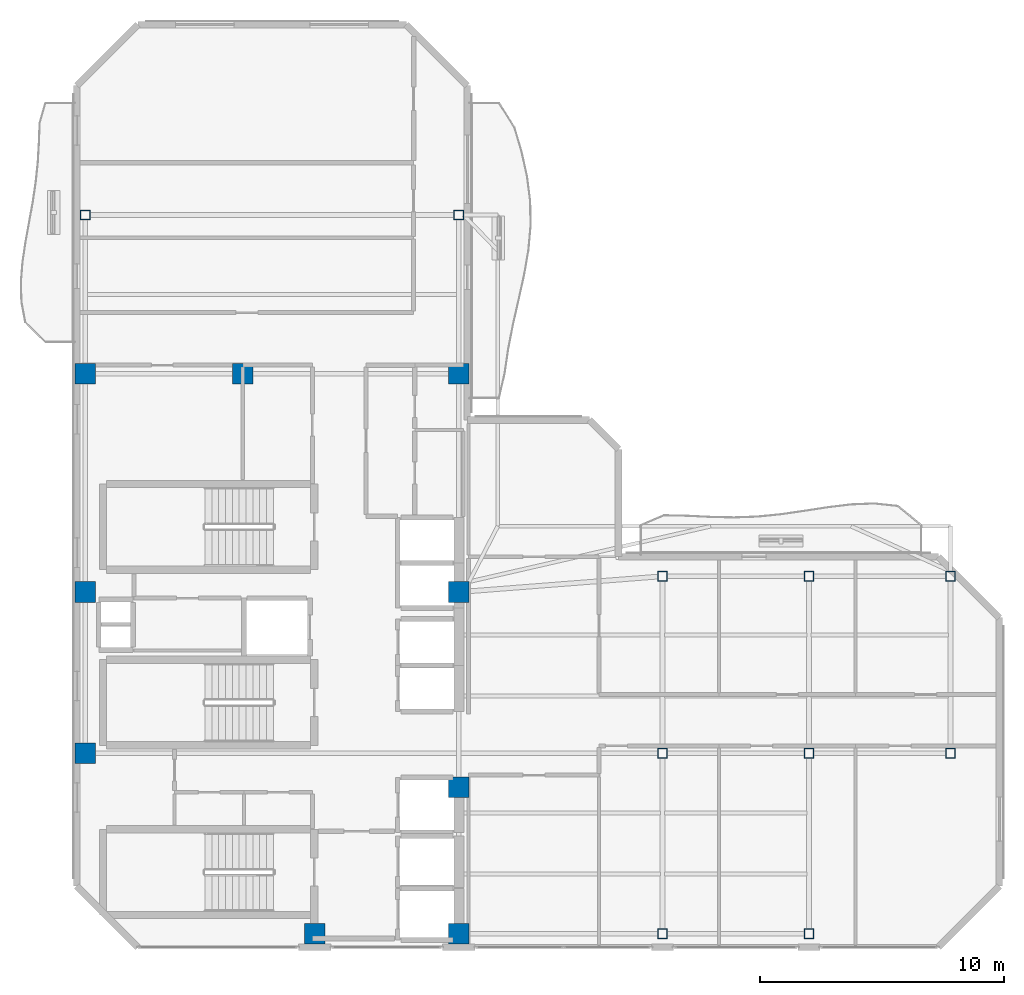
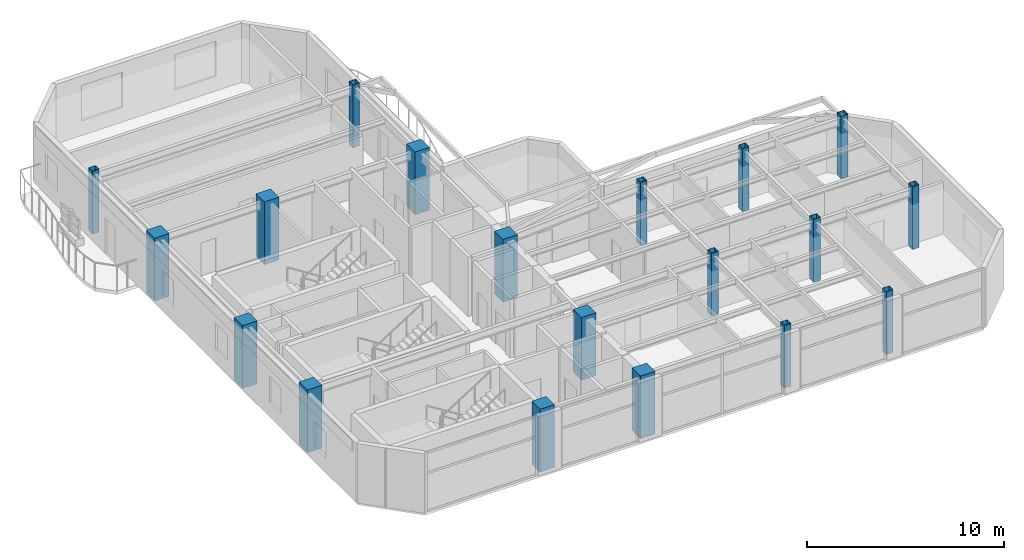
# One storey, part 1 of 15: 19 columns.
"""IFC4 building model written with IfcOpenShell, lengths in metres."""

from ifc_helpers import new_model, si_unit, direction, frame, origin, origin_2d, place, context, subcontext, project, spatial, rectangle, hollow_rectangle, extrude, material, material_profile, profile_set, type_object, element, save


model = new_model("IFC4")

# Units and contexts
model_context = context("Model", 3, precision=1e-05, world=origin(), true_north=direction((0.0, 1.0)))
body_context = subcontext(model_context, "Body", "Model", "MODEL_VIEW")
ifc_project = project(units=[si_unit("LENGTHUNIT", "METRE"), si_unit("AREAUNIT", "SQUARE_METRE"), si_unit("VOLUMEUNIT", "CUBIC_METRE"), si_unit("PLANEANGLEUNIT", "RADIAN"), si_unit("MASSUNIT", "GRAM", prefix="KILO")], contexts=[model_context])

# Site, building, storey
site_placement = place(None, origin())
site = spatial("IfcSite", under=ifc_project, at=site_placement, CompositionType="ELEMENT")
building_placement = place(site_placement, origin())
building = spatial("IfcBuilding", under=site, at=building_placement, Name="Mawjaban Terraces University", CompositionType="ELEMENT")
storey_placement = place(building_placement, frame((0.0, 0.0, 295.0)))
storey = spatial("IfcBuildingStorey", under=building, at=storey_placement, Name="L72", CompositionType="ELEMENT", Elevation=295.0)

# Columns
ifc_material_1 = material(Name="Concrete C50/60", Category="concrete")
ifc_material_profile_1 = material_profile(ifc_material_1, rectangle(XDim=0.85009765625, YDim=0.85009765625, at=origin_2d()), Name="RC850X850")
ifc_profile_set_1 = profile_set([ifc_material_profile_1], Name="Concrete C50/60")
column_type_1 = type_object("IfcColumnType", Name="Col_RC850X850", PredefinedType="COLUMN", material=ifc_profile_set_1)
for number, where, z_axis, x_axis, name in (
    (1, (31.75, 0.550048828125, 0.0), (0.0, 0.0, 1.0), (1.0, 0.0, 0.0), "L72 Column CC2"),
    (2, (37.64990234375, 0.550048828125, 0.0), (0.0, 0.0, 1.0), (1.0, 0.0, 0.0), "L72 Column CC3"),
    (3, (22.35009765625, 7.949951171875, 0.0), (0.0, 0.0, 1.0), (1.0, 0.0, 0.0), "L72 Column CC4"),
    (4, (37.64990234375, 6.550048828125, 0.0), (0.0, 0.0, 1.0), (1.0, 0.0, 0.0), "L72 Column CC5"),
    (5, (22.35009765625, 14.550048828125, 0.0), (0.0, 0.0, 1.0), (1.0, 0.0, 0.0), "L72 Column CC6"),
    (6, (37.64990234375, 14.550048828125, 0.0), (0.0, 0.0, 1.0), (1.0, 0.0, 0.0), "L72 Column CC7"),
    (7, (22.35009765625, 23.5, 0.0), (0.0, 0.0, 1.0), (1.0, 0.0, 0.0), "L72 Column CC8"),
    (8, (28.800048828125, 23.5, 0.0), (0.0, 0.0, 1.0), (1.0, 0.0, 0.0), "L72 Column CC9"),
    (9, (37.64990234375, 23.5, 0.0), (0.0, 0.0, 1.0), (1.0, 0.0, 0.0), "L72 Column CC10"),
):
    element("IfcColumn", number, at=place(storey_placement, frame(where, z_axis=z_axis, x_axis=x_axis)), inside=storey, type_object=column_type_1, Name=name, PredefinedType="COLUMN", context=body_context, shape_type="SweptSolid", body=[
        extrude(rectangle(XDim=0.85009765625, YDim=0.85009765625, at=origin_2d()), origin(), (0.0, 0.0, 1.0), 3.89990234375),
    ])
ifc_material_2 = material(Name="Steel EN 10210-1 S355J2H", Category="steel")
ifc_material_profile_2 = material_profile(ifc_material_2, hollow_rectangle(XDim=0.39990234375, YDim=0.39990234375, WallThickness=0.02001953125, at=origin_2d()), Name="SHS400X400X20")
ifc_profile_set_2 = profile_set([ifc_material_profile_2], Name="Steel EN 10210-1 S355J2H")
column_type_2 = type_object("IfcColumnType", Name="Col_SHS400X400X20", PredefinedType="COLUMN", material=ifc_profile_set_2)
for number, where, z_axis, x_axis, name in (
    (10, (46.0, 0.550048828125, 0.0), (0.0, 0.0, 1.0), (1.0, 0.0, 0.0), "L72 Column TE-460-005"),
    (11, (46.0, 7.949951171875, 0.0), (0.0, 0.0, 1.0), (1.0, 0.0, 0.0), "L72 Column TE-460-080"),
    (12, (46.0, 15.199951171875, 0.0), (0.0, 0.0, 1.0), (1.0, 0.0, 0.0), "L72 Column TE-460-152"),
    (13, (52.0, 0.550048828125, 0.0), (0.0, 0.0, 1.0), (1.0, 0.0, 0.0), "L72 Column TE-520-005"),
    (14, (52.0, 7.949951171875, 0.0), (0.0, 0.0, 1.0), (1.0, 0.0, 0.0), "L72 Column TE-520-080"),
    (15, (52.0, 15.199951171875, 0.0), (0.0, 0.0, 1.0), (1.0, 0.0, 0.0), "L72 Column TE-520-152"),
    (16, (57.800048828125, 7.949951171875, 0.0), (0.0, 0.0, 1.0), (1.0, 0.0, 0.0), "L72 Column TE-578-080"),
    (17, (57.800048828125, 15.199951171875, 0.0), (0.0, 0.0, 1.0), (1.0, 0.0, 0.0), "L72 Column TE-578-152"),
    (18, (22.35009765625, 30.0, 0.0), (0.0, 0.0, 1.0), (1.0, 0.0, 0.0), "L72 Column TN-223-300"),
    (19, (37.64990234375, 30.0, 0.0), (0.0, 0.0, 1.0), (1.0, 0.0, 0.0), "L72 Column TN-376-300"),
):
    element("IfcColumn", number, at=place(storey_placement, frame(where, z_axis=z_axis, x_axis=x_axis)), inside=storey, type_object=column_type_2, Name=name, PredefinedType="COLUMN", context=body_context, shape_type="SweptSolid", body=[
        extrude(hollow_rectangle(XDim=0.39990234375, YDim=0.39990234375, WallThickness=0.02001953125, at=origin_2d()), origin(), (0.0, 0.0, 1.0), 3.89990234375),
    ])

save(model, "model.ifc")
